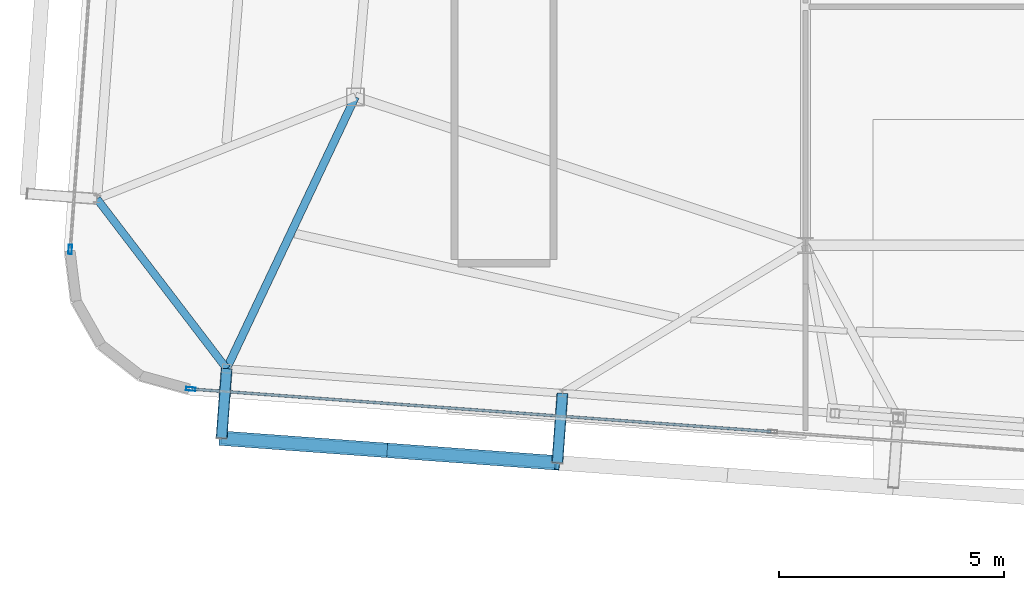
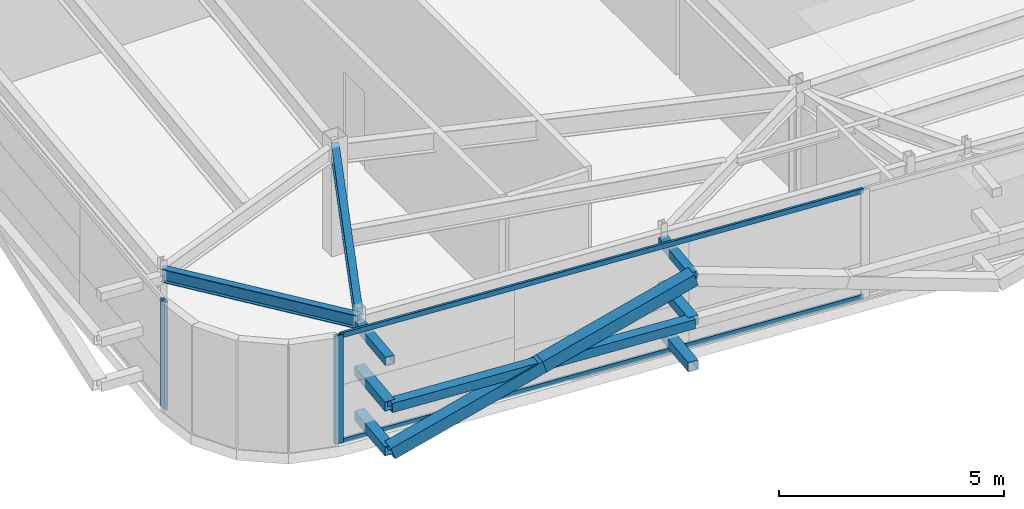
# One storey, part 9 of 35: 13 members, 2 beams, 2 elements without a shape of their own.
"""IFC4 building model written with IfcOpenShell, lengths in metres."""

from ifc_helpers import new_model, si_unit, direction, frame, origin, origin_2d, place, context, subcontext, project, spatial, hollow_rectangle, i_section, extrude, source, transform, mapped, material, layer, layer_set, material_profile, profile_set, type_object, element, aggregate, save


model = new_model("IFC4")

# Units and contexts
model_context = context("Model", 3, precision=1e-05, world=origin(), true_north=direction((0.0, 1.0)))
body_context = subcontext(model_context, "Body", "Model", "MODEL_VIEW")
ifc_project = project(units=[si_unit("LENGTHUNIT", "METRE"), si_unit("AREAUNIT", "SQUARE_METRE"), si_unit("VOLUMEUNIT", "CUBIC_METRE"), si_unit("PLANEANGLEUNIT", "RADIAN"), si_unit("MASSUNIT", "GRAM", prefix="KILO")], contexts=[model_context])

# Site, building, storey
site_placement = place(None, origin())
site = spatial("IfcSite", under=ifc_project, at=site_placement, CompositionType="ELEMENT")
building_placement = place(site_placement, origin())
building = spatial("IfcBuilding", under=site, at=building_placement, Name="Taldren Reach Tower", CompositionType="ELEMENT")
storey_placement = place(building_placement, frame((0.0, 0.0, 236.60009765625)))
storey = spatial("IfcBuildingStorey", under=building, at=storey_placement, Name="L72", CompositionType="ELEMENT", Elevation=236.60009765625)

# Members
ifc_material_1 = material(Name="Steel Gr 350 (C350L0)", Category="steel")
ifc_material_profile_1 = material_profile(ifc_material_1, hollow_rectangle(XDim=0.25, YDim=0.25, WallThickness=0.010009765625, at=origin_2d()), Name="250x250x10.0SHS")
ifc_profile_set_1 = profile_set([ifc_material_profile_1], Name="Steel Gr 350 (C350L0)")
member_type_1 = type_object("IfcMemberType", Name="MB-POST250", PredefinedType="POST", material=ifc_profile_set_1)
shared_shape_1 = source(origin(), body_context, "Body", "SweptSolid", [
    extrude(hollow_rectangle(XDim=0.25, YDim=0.25, WallThickness=0.010009765625, at=origin_2d()), origin(), (0.0, 0.0, 1.0), 1.5498046875),
])
for number, where, z_axis, x_axis, name in (
    (1, (22.6005859375, 5.912353515625, 0.219970703125), (-0.073250797913, -0.997313551801, 0.0), (0.997313551801, -0.073250797913, 0.0), "Exoskeleton base diaphragm tie strut B5-S2 L72"),
    (2, (22.6005859375, 5.912353515625, 1.434814453125), (-0.073250797913, -0.997313551801, 0.0), (0.997313551801, -0.073250797913, 0.0), "Exoskeleton mid-tier diaphragm tie B5-S2 L72"),
):
    element("IfcMember", number, at=place(storey_placement, frame(where, z_axis=z_axis, x_axis=x_axis)), inside=storey, type_object=member_type_1, Name=name, PredefinedType="POST", context=body_context, shape_type="MappedRepresentation", body=[
        mapped(shared_shape_1, transform((0.0, 0.0, 0.0), scale=1.0)),
    ])
shared_shape_2 = source(origin(), body_context, "Body", "SweptSolid", [
    extrude(hollow_rectangle(XDim=0.25, YDim=0.25, WallThickness=0.010009765625, at=origin_2d()), origin(), (0.0, 0.0, 1.0), 1.550048828125),
])
for number, where, z_axis, x_axis, name in (
    (3, (15.140625, 6.460205078125, 0.219970703125), (-0.07323929162, -0.997314396849, 0.0), (0.997314396849, -0.07323929162, 0.0), "Exoskeleton base diaphragm tie strut B5-S1 L72"),
    (4, (15.140625, 6.460205078125, 1.434814453125), (-0.07323929162, -0.997314396849, 0.0), (0.997314396849, -0.07323929162, 0.0), "Exoskeleton mid-tier diaphragm tie B5-S1 L72"),
):
    element("IfcMember", number, at=place(storey_placement, frame(where, z_axis=z_axis, x_axis=x_axis)), inside=storey, type_object=member_type_1, Name=name, PredefinedType="POST", context=body_context, shape_type="MappedRepresentation", body=[
        mapped(shared_shape_2, transform((0.0, 0.0, 0.0), scale=1.0)),
    ])
ifc_material_2 = material(Name="Steel Gr 450 (C450L0)", Category="steel")
ifc_material_profile_2 = material_profile(ifc_material_2, hollow_rectangle(XDim=0.219970703125, YDim=0.219970703125, WallThickness=0.00830078125, at=origin_2d()), Name="220x220x8.2SHS")
ifc_profile_set_2 = profile_set([ifc_material_profile_2], Name="Steel Gr 450 (C450L0)")
member_type_2 = type_object("IfcMemberType", Name="MB-TIE219", PredefinedType="STRUT", material=ifc_profile_set_2)
shared_shape_3 = source(origin(), body_context, "Body", "SweptSolid", [
    extrude(hollow_rectangle(XDim=0.219970703125, YDim=0.219970703125, WallThickness=0.00830078125, at=origin_2d()), origin(), (0.0, 0.0, 1.0), 1.5498046875),
])
member_1_placement = place(storey_placement, frame((22.6005859375, 5.912353515625, 2.64990234375), z_axis=(-0.073250797913, -0.997313551801, 0.0), x_axis=(0.997313551801, -0.073250797913, 0.0)))
element("IfcMember", 5, at=member_1_placement, inside=storey, type_object=member_type_2, Name="Exoskeleton diaphragm tie strut B5-S2 L72", PredefinedType="STRUT", context=body_context, shape_type="MappedRepresentation", body=[
    mapped(shared_shape_3, transform((0.0, 0.0, 0.0), scale=1.0)),
])
shared_shape_4 = source(origin(), body_context, "Body", "SweptSolid", [
    extrude(hollow_rectangle(XDim=0.219970703125, YDim=0.219970703125, WallThickness=0.00830078125, at=origin_2d()), origin(), (0.0, 0.0, 1.0), 1.550048828125),
])
member_2_placement = place(storey_placement, frame((15.140625, 6.460205078125, 2.64990234375), z_axis=(-0.07323929162, -0.997314396849, 0.0), x_axis=(0.997314396849, -0.07323929162, 0.0)))
element("IfcMember", 6, at=member_2_placement, inside=storey, type_object=member_type_2, Name="Exoskeleton diaphragm tie strut B5-S1 L72", PredefinedType="STRUT", context=body_context, shape_type="MappedRepresentation", body=[
    mapped(shared_shape_4, transform((0.0, 0.0, 0.0), scale=1.0)),
])

# Beams
ifc_material_3 = material(Name="Steel Gr 350 (350PLUS)", Category="steel")
ifc_material_profile_3 = material_profile(ifc_material_3, i_section(OverallWidth=0.172119140625, OverallDepth=0.35888671875, WebThickness=0.008056640625, FlangeThickness=0.012939453125, at=origin_2d()), Name="360UB56.7")
ifc_profile_set_3 = profile_set([ifc_material_profile_3], Name="Steel Gr 350 (350PLUS)")
beam_type_1 = type_object("IfcBeamType", Name="SP-UB360", PredefinedType="SPANDREL", material=ifc_profile_set_3)
shared_shape_5 = source(origin(), body_context, "Body", "SweptSolid", [
    extrude(i_section(OverallWidth=0.172119140625, OverallDepth=0.35888671875, WebThickness=0.008056640625, FlangeThickness=0.012939453125, at=origin_2d()), origin(), (0.0, 0.0, 1.0), 4.74609375),
])
beam_1_placement = place(storey_placement, frame((12.259033203125, 10.2314453125, 2.75048828125), z_axis=(0.607144568334, -0.794591387533, 0.0), x_axis=(0.794591387533, 0.607144568334, 0.0)))
element("IfcBeam", 7, at=beam_1_placement, inside=storey, type_object=beam_type_1, Name="Perimeter spandrel B5 W1-S1 L72", PredefinedType="SPANDREL", context=body_context, shape_type="MappedRepresentation", body=[
    mapped(shared_shape_5, transform((0.0, 0.0, 0.0), scale=1.0)),
])
ifc_material_profile_4 = material_profile(ifc_material_3, i_section(OverallWidth=0.177978515625, OverallDepth=0.406005859375, WebThickness=0.0078125, FlangeThickness=0.0126953125, at=origin_2d()), Name="410UB59.7")
ifc_profile_set_4 = profile_set([ifc_material_profile_4], Name="Steel Gr 350 (350PLUS)")
beam_type_2 = type_object("IfcBeamType", Name="BM-UB410", PredefinedType="BEAM", material=ifc_profile_set_4)
shared_shape_6 = source(origin(), body_context, "Body", "SweptSolid", [
    extrude(i_section(OverallWidth=0.177978515625, OverallDepth=0.406005859375, WebThickness=0.0078125, FlangeThickness=0.0126953125, at=origin_2d()), origin(), (0.0, 0.0, 1.0), 6.682373046875),
])
beam_2_placement = place(storey_placement, frame((18.0, 12.5, 2.726806640625), z_axis=(-0.427893164494, -0.903829320049, 0.0), x_axis=(0.903829320049, -0.427893164494, 0.0)))
element("IfcBeam", 8, at=beam_2_placement, inside=storey, type_object=beam_type_2, Name="Primary floor girder B5-S1 L72", PredefinedType="BEAM", context=body_context, shape_type="MappedRepresentation", body=[
    mapped(shared_shape_6, transform((0.0, 0.0, 0.0), scale=1.0)),
])

# Members
ifc_material_profile_5 = material_profile(ifc_material_2, hollow_rectangle(XDim=0.324951171875, YDim=0.324951171875, WallThickness=0.0126953125, at=origin_2d()), Name="325x325x12.7SHS")
ifc_profile_set_5 = profile_set([ifc_material_profile_5], Name="Steel Gr 450 (C450L0)")
member_type_3 = type_object("IfcMemberType", Name="MB-BR324", PredefinedType="BRACE", material=ifc_profile_set_5)
shared_shape_7 = source(origin(), body_context, "Body", "SweptSolid", [
    extrude(hollow_rectangle(XDim=0.324951171875, YDim=0.324951171875, WallThickness=0.0126953125, at=origin_2d()), origin(), (0.0, 0.0, 1.0), 3.932373046875),
])
for number, where, z_axis, x_axis, name in (
    (9, (15.027099609375, 4.914306640625, 0.219970703125), (0.948529326954, -0.06965898055, 0.308933232813), (0.07324169103, 0.997314220642, 0.0), "Exoskeleton Diagrid Brace B5-S1 L72"),
    (10, (18.757080078125, 4.640380859375, 1.434814453125), (0.948515232963, -0.069595861772, 0.308990726172), (0.073176762938, 0.997318986767, 0.0), "Exoskeleton Diagrid Brace B5-S1 L72"),
):
    element("IfcMember", number, at=place(storey_placement, frame(where, z_axis=z_axis, x_axis=x_axis)), inside=storey, type_object=member_type_3, Name=name, PredefinedType="BRACE", context=body_context, shape_type="MappedRepresentation", body=[
        mapped(shared_shape_7, transform((0.0, 0.0, 0.0), scale=1.0)),
    ])
shared_shape_8 = source(origin(), body_context, "Body", "SweptSolid", [
    extrude(hollow_rectangle(XDim=0.25, YDim=0.25, WallThickness=0.010009765625, at=origin_2d()), origin(), (0.0, 0.0, 1.0), 7.47998046875),
])
member_3_placement = place(storey_placement, frame((15.027099609375, 4.914306640625, 1.434814453125), z_axis=(0.997316604227, -0.0732092271, 0.0), x_axis=(0.0732092271, 0.997316604227, 0.0)))
element("IfcMember", 11, at=member_3_placement, inside=storey, type_object=member_type_1, Name="Exoskeleton mid-height ring chord B5-S1 L72", PredefinedType="POST", context=body_context, shape_type="MappedRepresentation", body=[
    mapped(shared_shape_8, transform((0.0, 0.0, 0.0), scale=1.0)),
])

# Curtain wall, members
ifc_material_4 = material(Name="Aluminium and Low-E Glass Unitised System", Category="aluminium")
ifc_layer = layer(ifc_material_4, 0.159912109375)
ifc_layer_set = layer_set([ifc_layer], Name="Aluminium and Low-E Glass Unitised System")
curtain_wall_type = type_object("IfcCurtainWallType", Name="CW-SYS-6", PredefinedType="NOTDEFINED", material=ifc_layer_set)
curtain_wall_1_placement = place(storey_placement, origin())
curtain_wall_1 = element("IfcCurtainWall", 12, at=curtain_wall_1_placement, inside=storey, type_object=curtain_wall_type, Name="Unitised curtain wall CW-L72-S", PredefinedType="NOTDEFINED")
ifc_material_5 = material(Name="Anodised Aluminium 6063-T6", Category="aluminium")
ifc_material_profile_6 = material_profile(ifc_material_5, hollow_rectangle(XDim=0.06005859375, YDim=0.135009765625, WallThickness=0.00341796875, at=origin_2d()), Name="ALU-135x60x3.5RHS")
ifc_profile_set_6 = profile_set([ifc_material_profile_6], Name="Anodised Aluminium 6063-T6")
member_type_4 = type_object("IfcMemberType", Name="CW-TRN-150", PredefinedType="USERDEFINED", material=ifc_profile_set_6)
shared_shape_9 = source(origin(), body_context, "Body", "SweptSolid", [
    extrude(hollow_rectangle(XDim=0.06005859375, YDim=0.135009765625, WallThickness=0.00341796875, at=origin_2d()), origin(), (0.0, 0.0, 1.0), 12.887451171875),
])
member_4_placement = place(storey_placement, frame((14.38037109375, 6.004638671875, 0.02978515625), z_axis=(0.997314487101, -0.07323806263, 0.0), x_axis=(0.07323806263, 0.997314487101, 0.0)))
member_4 = element("IfcMember", 13, at=member_4_placement, type_object=member_type_4, Name="CW-6 transom 1.1", ObjectType="TRANSOM", PredefinedType="USERDEFINED", context=body_context, shape_type="MappedRepresentation", body=[
    mapped(shared_shape_9, transform((0.0, 0.0, 0.0), scale=1.0)),
])
member_5_placement = place(storey_placement, frame((14.38037109375, 6.004638671875, 2.89990234375), z_axis=(0.997314487101, -0.07323806263, 0.0), x_axis=(0.07323806263, 0.997314487101, 0.0)))
member_5 = element("IfcMember", 14, at=member_5_placement, type_object=member_type_4, Name="CW-6 transom 1.2", ObjectType="TRANSOM", PredefinedType="USERDEFINED", context=body_context, shape_type="MappedRepresentation", body=[
    mapped(shared_shape_9, transform((0.0, 0.0, 0.0), scale=1.0)),
])
ifc_material_profile_7 = material_profile(ifc_material_5, hollow_rectangle(XDim=0.074951171875, YDim=0.2099609375, WallThickness=0.00439453125, at=origin_2d()), Name="ALU-210x75x4.5RHS")
ifc_profile_set_7 = profile_set([ifc_material_profile_7], Name="Anodised Aluminium 6063-T6")
member_type_5 = type_object("IfcMemberType", Name="CW-MUL-200", PredefinedType="MULLION", material=ifc_profile_set_7)
shared_shape_10 = source(origin(), body_context, "Body", "SweptSolid", [
    extrude(hollow_rectangle(XDim=0.074951171875, YDim=0.2099609375, WallThickness=0.00439453125, at=origin_2d()), origin(), (0.0, 0.0, 1.0), 2.929931640625),
])
member_6_placement = place(storey_placement, frame((14.3427734375, 6.007568359375, 0.0), z_axis=(0.0, 0.0, 1.0), x_axis=(0.073238213716, 0.997314476006, 0.0)))
member_6 = element("IfcMember", 15, at=member_6_placement, type_object=member_type_5, Name="CW-6 mullion 1", PredefinedType="MULLION", context=body_context, shape_type="MappedRepresentation", body=[
    mapped(shared_shape_10, transform((0.0, 0.0, 0.0), scale=1.0)),
])
aggregate(curtain_wall_1, [member_6, member_4, member_5])

# Curtain wall, member
curtain_wall_2_placement = place(storey_placement, origin())
curtain_wall_2 = element("IfcCurtainWall", 16, at=curtain_wall_2_placement, inside=storey, type_object=curtain_wall_type, Name="Unitised curtain wall CW-L72-W", PredefinedType="NOTDEFINED")
member_7_placement = place(storey_placement, frame((11.665283203125, 9.109375, 0.0), z_axis=(0.0, 0.0, 1.0), x_axis=(0.997314470951, -0.073238282558, 0.0)))
member_7 = element("IfcMember", 17, at=member_7_placement, type_object=member_type_5, Name="CW-6 mullion 3", PredefinedType="MULLION", context=body_context, shape_type="MappedRepresentation", body=[
    mapped(shared_shape_10, transform((0.0, 0.0, 0.0), scale=1.0)),
])
aggregate(curtain_wall_2, [member_7])

save(model, "model.ifc")
